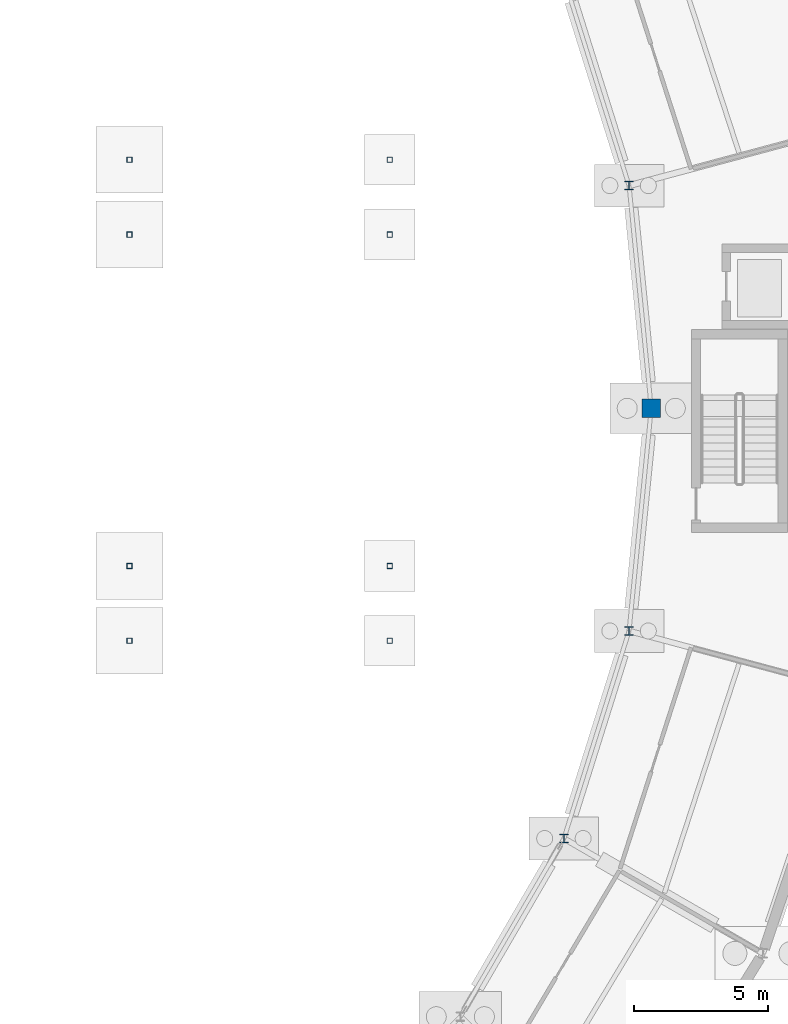
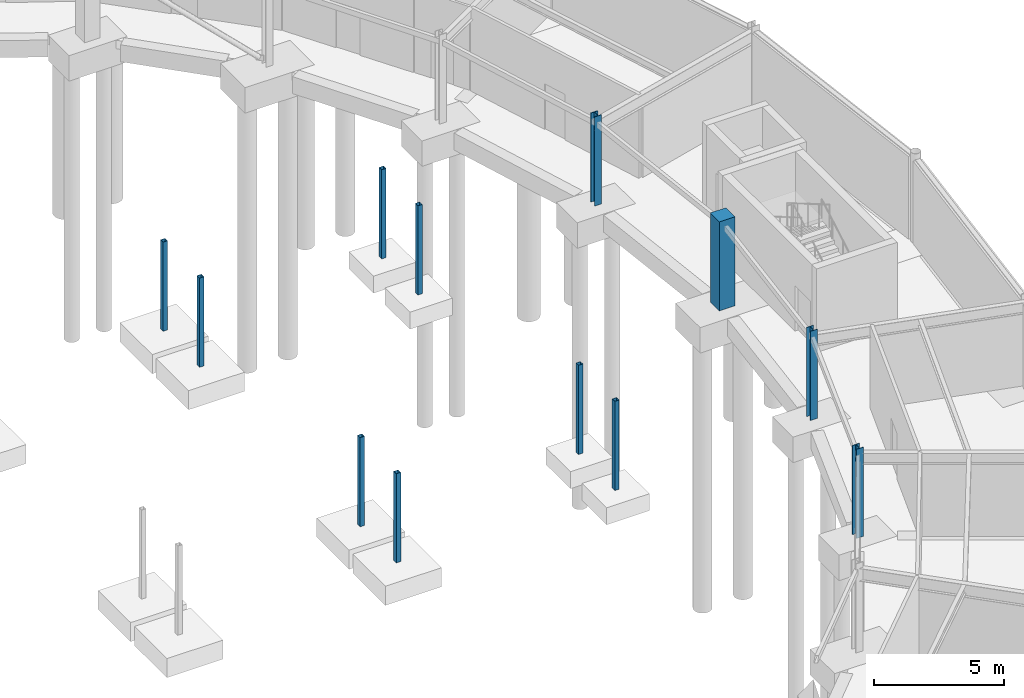
# One storey, part 16 of 58: 12 columns.
"""IFC4 building model written with IfcOpenShell, lengths in metres."""

from ifc_helpers import new_model, si_unit, direction, frame, origin, origin_2d, place, context, subcontext, project, spatial, rectangle, hollow_rectangle, i_section, extrude, material, material_profile, profile_set, type_object, element, save


model = new_model("IFC4")

# Units and contexts
model_context = context("Model", 3, precision=1e-05, world=origin(), true_north=direction((0.0, 1.0)))
body_context = subcontext(model_context, "Body", "Model", "MODEL_VIEW")
ifc_project = project(units=[si_unit("LENGTHUNIT", "METRE"), si_unit("AREAUNIT", "SQUARE_METRE"), si_unit("VOLUMEUNIT", "CUBIC_METRE"), si_unit("PLANEANGLEUNIT", "RADIAN"), si_unit("MASSUNIT", "GRAM", prefix="KILO")], contexts=[model_context])

# Site, building, storey
site_placement = place(None, origin())
site = spatial("IfcSite", under=ifc_project, at=site_placement, CompositionType="ELEMENT")
building_placement = place(site_placement, origin())
building = spatial("IfcBuilding", under=site, at=building_placement, Name="Karori Crest Natural Sciences Institute", CompositionType="ELEMENT")
storey_placement = place(building_placement, frame((0.0, 0.0, -4.199951171875)))
storey = spatial("IfcBuildingStorey", under=building, at=storey_placement, Name="B1", CompositionType="ELEMENT", Elevation=-4.199951171875)

# Columns
ifc_material_1 = material(Name="Structural steel AS/NZS 3679.1 Grade 350", Category="steel")
ifc_material_profile_1 = material_profile(ifc_material_1, i_section(OverallWidth=0.31103515625, OverallDepth=0.326904296875, WebThickness=0.015625, FlangeThickness=0.02490234375, FilletRadius=0.01708984375, at=origin_2d()), Name="310UC158")
ifc_profile_set_1 = profile_set([ifc_material_profile_1], Name="Structural steel AS/NZS 3679.1 Grade 350")
column_type_1 = type_object("IfcColumnType", Name="CT-04-IL", PredefinedType="COLUMN", material=ifc_profile_set_1)
for number, where, z_axis, x_axis, name in (
    (1, (89.968505859375, 58.23388671875, 0.0), (0.0, 0.0, 1.0), (1.0, 0.0, 0.0), "Column C-0020"),
    (2, (87.531005859375, 33.800048828125, 0.0), (0.0, 0.0, 1.0), (1.0, 0.0, 0.0), "Column C-0362"),
    (3, (89.968505859375, 41.56591796875, 0.0), (0.0, 0.0, 1.0), (1.0, 0.0, 0.0), "Column C-0380"),
):
    element("IfcColumn", number, at=place(storey_placement, frame(where, z_axis=z_axis, x_axis=x_axis)), inside=storey, type_object=column_type_1, Name=name, PredefinedType="COLUMN", context=body_context, shape_type="SweptSolid", body=[
        extrude(i_section(OverallWidth=0.31103515625, OverallDepth=0.326904296875, WebThickness=0.015625, FlangeThickness=0.02490234375, FilletRadius=0.01708984375, at=origin_2d()), origin(), (0.0, 0.0, 1.0), 4.199951171875),
    ])
ifc_material_2 = material(Name="Hollow structural steel AS/NZS 1163 Grade C350", Category="steel")
ifc_material_profile_2 = material_profile(ifc_material_2, hollow_rectangle(XDim=0.199951171875, YDim=0.199951171875, WallThickness=0.010009765625, at=origin_2d()), Name="SHS200x200x10")
ifc_profile_set_2 = profile_set([ifc_material_profile_2], Name="Hollow structural steel AS/NZS 1163 Grade C350")
column_type_2 = type_object("IfcColumnType", Name="CT-13", PredefinedType="COLUMN", material=ifc_profile_set_2)
for number, where, z_axis, x_axis, name in (
    (4, (71.27001953125, 41.199951171875, 0.0), (0.0, 0.0, 1.0), (1.0, 0.0, 0.0), "Column C-0417"),
    (5, (71.27001953125, 44.0, 0.0), (0.0, 0.0, 1.0), (1.0, 0.0, 0.0), "Column C-0422"),
    (6, (81.010009765625, 41.199951171875, 0.0), (0.0, 0.0, 1.0), (1.0, 0.0, 0.0), "Column C-0427"),
    (7, (81.010009765625, 44.0, 0.0), (0.0, 0.0, 1.0), (1.0, 0.0, 0.0), "Column C-0432"),
    (8, (71.27001953125, 56.39990234375, 0.0), (0.0, 0.0, 1.0), (1.0, 0.0, 0.0), "Column C-0453"),
    (9, (71.27001953125, 59.199951171875, 0.0), (0.0, 0.0, 1.0), (1.0, 0.0, 0.0), "Column C-0457"),
    (10, (81.010009765625, 56.39990234375, 0.0), (0.0, 0.0, 1.0), (1.0, 0.0, 0.0), "Column C-0461"),
    (11, (81.010009765625, 59.199951171875, 0.0), (0.0, 0.0, 1.0), (1.0, 0.0, 0.0), "Column C-0465"),
):
    element("IfcColumn", number, at=place(storey_placement, frame(where, z_axis=z_axis, x_axis=x_axis)), inside=storey, type_object=column_type_2, Name=name, PredefinedType="COLUMN", context=body_context, shape_type="SweptSolid", body=[
        extrude(hollow_rectangle(XDim=0.199951171875, YDim=0.199951171875, WallThickness=0.010009765625, at=origin_2d()), origin(), (0.0, 0.0, 1.0), 4.199951171875),
    ])
ifc_material_3 = material(Name="Concrete 50 MPa", Category="concrete")
ifc_material_profile_3 = material_profile(ifc_material_3, rectangle(XDim=0.699951171875, YDim=0.699951171875, at=origin_2d()), Name="RC700x700")
ifc_profile_set_3 = profile_set([ifc_material_profile_3], Name="Concrete 50 MPa")
column_type_3 = type_object("IfcColumnType", Name="CT-29", PredefinedType="COLUMN", material=ifc_profile_set_3)
column_placement = place(storey_placement, frame((90.800048828125, 49.89990234375, 0.0), z_axis=(0.0, 0.0, 1.0), x_axis=(1.0, 0.0, 0.0)))
element("IfcColumn", 12, at=column_placement, inside=storey, type_object=column_type_3, Name="Column C-0002", PredefinedType="COLUMN", context=body_context, shape_type="SweptSolid", body=[
    extrude(rectangle(XDim=0.699951171875, YDim=0.699951171875, at=origin_2d()), origin(), (0.0, 0.0, 1.0), 4.199951171875),
])

save(model, "model.ifc")
